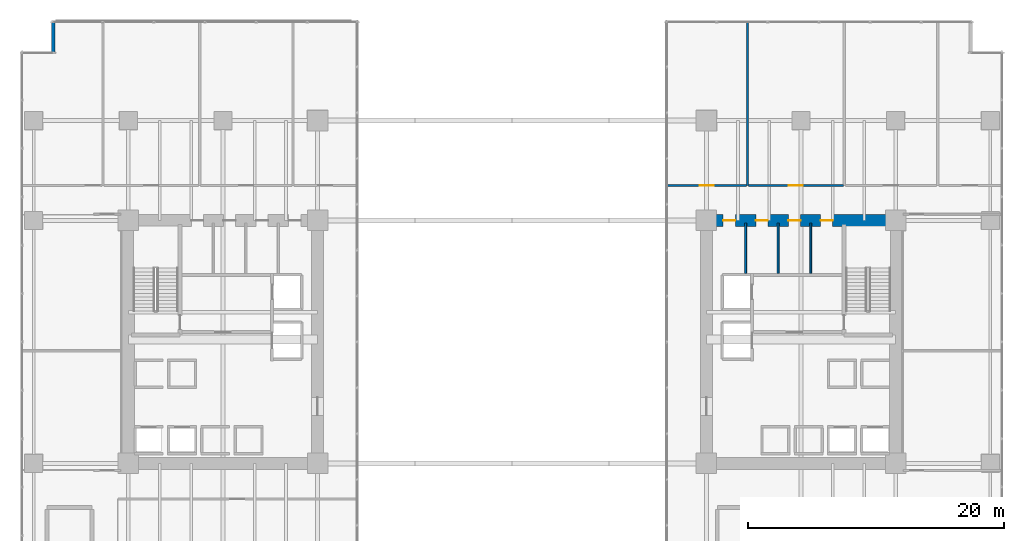
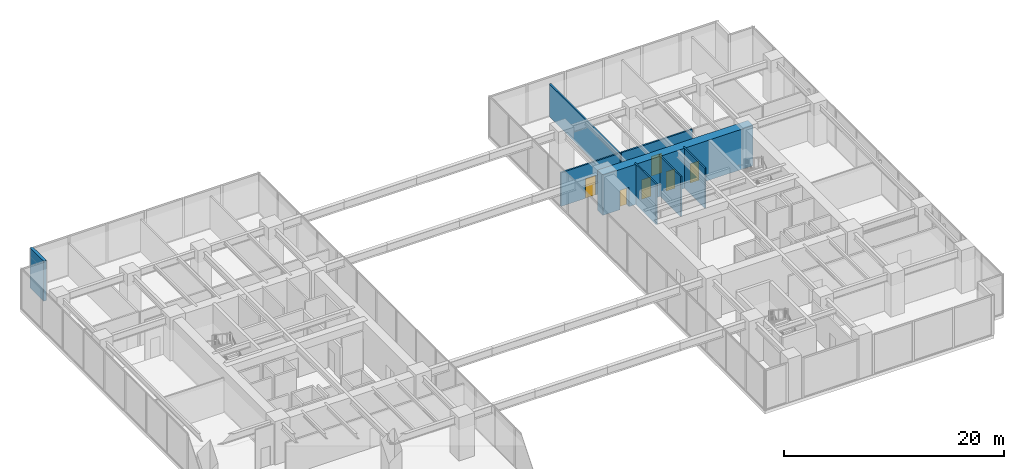
# One storey, part 32 of 39: 8 walls, 6 doors, 6 openings.
"""IFC4 building model written with IfcOpenShell, lengths in metres."""

from ifc_helpers import new_model, si_unit, direction, frame, frame_2d, origin, place, context, subcontext, project, spatial, rectangle, extrude, source, transform, mapped, material, layer, layer_set, type_object, type_shapes, element, fill, save


model = new_model("IFC4")

# Units and contexts
model_context = context("Model", 3, precision=1e-05, world=origin(), true_north=direction((0.0, 1.0)))
body_context = subcontext(model_context, "Body", "Model", "MODEL_VIEW")
ifc_project = project(units=[si_unit("LENGTHUNIT", "METRE"), si_unit("AREAUNIT", "SQUARE_METRE"), si_unit("VOLUMEUNIT", "CUBIC_METRE"), si_unit("PLANEANGLEUNIT", "RADIAN"), si_unit("MASSUNIT", "GRAM", prefix="KILO")], contexts=[model_context])

# Site, building, storey
site_placement = place(None, origin())
site = spatial("IfcSite", under=ifc_project, at=site_placement, CompositionType="ELEMENT")
building_placement = place(site_placement, origin())
building = spatial("IfcBuilding", under=site, at=building_placement, Name="Haelvirn Gate Laboratories", CompositionType="ELEMENT")
storey_placement = place(building_placement, frame((0.0, 0.0, 15.0)))
storey = spatial("IfcBuildingStorey", under=building, at=storey_placement, Name="L04", CompositionType="ELEMENT", Elevation=15.0)

# Wall
ifc_material_1 = material(Name="Thermally-broken bronze aluminium rainscreen & mineral wool", Category="aluminium")
ifc_layer_1 = layer(ifc_material_1, 0.280029296875, Name="EW-TERR-280")
ifc_layer_set_1 = layer_set([ifc_layer_1], Name="Thermally-broken bronze aluminium rainscreen & mineral wool")
wall_type_1 = type_object("IfcWallType", Name="EW-TERR-280", PredefinedType="STANDARD", material=ifc_layer_set_1)
wall_1_placement = place(storey_placement, frame((1.5400390625, 49.39990234375, 0.0), z_axis=(0.0, 0.0, 1.0), x_axis=(0.0, -1.0, 0.0)))
element("IfcWall", 1, at=wall_1_placement, inside=storey, type_object=wall_type_1, Name="L04 Atrium Recess Bronze Return Wall 03", PredefinedType="STANDARD", context=body_context, shape_type="SweptSolid", body=[
    extrude(rectangle(XDim=2.48779296875, YDim=0.280029296875, at=frame_2d((1.243896484375, 0.0))), origin(), (0.0, 0.0, 1.0), 4.449951171875),
])

# Wall, opening, door
ifc_material_2 = material(Name="Moisture-resistant gypsum laboratory partition", Category="gypsum")
ifc_layer_2 = layer(ifc_material_2, 0.1650390625, Name="IW-PART-160")
ifc_layer_set_2 = layer_set([ifc_layer_2], Name="Moisture-resistant gypsum laboratory partition")
wall_type_2 = type_object("IfcWallType", Name="IW-PART-160", PredefinedType="PARTITIONING", material=ifc_layer_set_2)
wall_2_placement = place(storey_placement, frame((49.550048828125, 36.52001953125, 0.0), z_axis=(0.0, 0.0, 1.0), x_axis=(1.0, 0.0, 0.0)))
wall_2 = element("IfcWall", 2, at=wall_2_placement, inside=storey, type_object=wall_type_2, Name="L04 Interior Wall IW-L04-PODN-E-1", PredefinedType="PARTITIONING", context=body_context, shape_type="SweptSolid", body=[
    extrude(rectangle(XDim=6.183837890625, YDim=0.1650390625, at=frame_2d((3.091796875, 0.0))), origin(), (0.0, 0.0, 1.0), 3.735107421875),
])
opening_1_placement = place(wall_2_placement, frame((2.5419921875, 0.0, 0.0)))
opening_1 = element("IfcOpeningElement", 3, at=opening_1_placement, cuts=wall_2, Name="Opening D1", PredefinedType="OPENING", context=body_context, shape_type="SweptSolid", body=[
    extrude(rectangle(XDim=1.10009765625, YDim=2.179931640625, at=frame_2d((0.550048828125, 1.08984375))), frame((0.0, 0.092529296875, 0.0), z_axis=(0.0, -1.0, 0.0), x_axis=(1.0, 0.0, 0.0)), (0.0, 0.0, 1.0), 0.18505859375),
])
ifc_material_3 = material(Name="Vision-panel acoustic solid-core timber lab door", Category="wood")
door_type_1 = type_object("IfcDoorType", Name="DR-LAB-1100", OperationType="NOTDEFINED", PredefinedType="DOOR", material=ifc_material_3)
shared_shape_1 = source(origin(), body_context, "Body", "SweptSolid", [
    extrude(rectangle(XDim=1.10009765625, YDim=2.179931640625, at=frame_2d((0.550048828125, 1.08984375))), frame((0.0, 0.02490234375, 0.0), z_axis=(0.0, -1.0, 0.0), x_axis=(1.0, 0.0, 0.0)), (0.0, 0.0, 1.0), 0.050048828125),
])
type_shapes(door_type_1, [shared_shape_1])
door_1_placement = place(opening_1_placement, origin())
door_1 = element("IfcDoor", 4, at=door_1_placement, inside=storey, type_object=door_type_1, Name="L04 Genomics Assay Laboratory North Door", OperationType="SINGLE_SWING_RIGHT", OverallHeight=2.179931640625, OverallWidth=1.10009765625, PredefinedType="DOOR", context=body_context, shape_type="MappedRepresentation", body=[
    mapped(shared_shape_1, transform((0.0, 0.0, 0.0), scale=1.0)),
])
fill(opening_1, door_1)

# Wall
wall_3_placement = place(storey_placement, frame((55.81396484375, 36.52001953125, 0.0), z_axis=(0.0, 0.0, 1.0), x_axis=(0.0, 1.0, 0.0)))
element("IfcWall", 5, at=wall_3_placement, inside=storey, type_object=wall_type_2, Name="L04 Interior Wall IW-L04-PODNDIV-E-1", PredefinedType="PARTITIONING", context=body_context, shape_type="SweptSolid", body=[
    extrude(rectangle(XDim=12.77001953125, YDim=0.1650390625, at=frame_2d((6.385009765625, 0.0))), origin(), (0.0, 0.0, 1.0), 3.635009765625),
])

# Wall, opening, door
wall_4_placement = place(storey_placement, frame((55.89404296875, 36.52001953125, 0.0), z_axis=(0.0, 0.0, 1.0), x_axis=(1.0, 0.0, 0.0)))
wall_4 = element("IfcWall", 6, at=wall_4_placement, inside=storey, type_object=wall_type_2, Name="L04 Interior Wall IW-L04-PODN-E-2", PredefinedType="PARTITIONING", context=body_context, shape_type="SweptSolid", body=[
    extrude(rectangle(XDim=7.408935546875, YDim=0.1650390625, at=frame_2d((3.70458984375, 0.0))), origin(), (0.0, 0.0, 1.0), 3.735107421875),
])
opening_2_placement = place(wall_4_placement, frame((3.154541015625, 0.0, 0.0)))
opening_2 = element("IfcOpeningElement", 7, at=opening_2_placement, cuts=wall_4, Name="Opening D1", PredefinedType="OPENING", context=body_context, shape_type="SweptSolid", body=[
    extrude(rectangle(XDim=1.10009765625, YDim=2.179931640625, at=frame_2d((0.550048828125, 1.08984375))), frame((0.0, 0.092529296875, 0.0), z_axis=(0.0, -1.0, 0.0), x_axis=(1.0, 0.0, 0.0)), (0.0, 0.0, 1.0), 0.18505859375),
])
door_2_placement = place(opening_2_placement, origin())
door_2 = element("IfcDoor", 8, at=door_2_placement, inside=storey, type_object=door_type_1, Name="L04 Analytical Instrument Suite North Door", OperationType="SINGLE_SWING_LEFT", OverallHeight=2.179931640625, OverallWidth=1.10009765625, PredefinedType="DOOR", context=body_context, shape_type="MappedRepresentation", body=[
    mapped(shared_shape_1, transform((0.0, 0.0, 0.0), scale=1.0)),
])
fill(opening_2, door_2)

# Walls
ifc_material_4 = material(Name="Cement-board restroom plumbing chase wall", Category="gypsum")
ifc_layer_3 = layer(ifc_material_4, 0.155029296875, Name="IW-PLUMB-160")
ifc_layer_set_3 = layer_set([ifc_layer_3], Name="Cement-board restroom plumbing chase wall")
wall_type_3 = type_object("IfcWallType", Name="IW-PLUMB-160", PredefinedType="PLUMBINGWALL", material=ifc_layer_set_3)
for number, where, z_axis, x_axis, name in (
    (9, (60.760009765625, 29.64990234375, 0.0), (0.0, 0.0, 1.0), (0.0, 1.0, 0.0), "L04 Interior Wall IW-L04-E-CDIV-1"),
    (10, (58.2099609375, 29.64990234375, 0.0), (0.0, 0.0, 1.0), (0.0, 1.0, 0.0), "L04 Interior Wall IW-L04-E-CDIV-2"),
    (11, (55.659912109375, 29.64990234375, 0.0), (0.0, 0.0, 1.0), (0.0, 1.0, 0.0), "L04 Interior Wall IW-L04-E-CDIV-3"),
):
    element("IfcWall", number, at=place(storey_placement, frame(where, z_axis=z_axis, x_axis=x_axis)), inside=storey, type_object=wall_type_3, Name=name, PredefinedType="PLUMBINGWALL", context=body_context, shape_type="SweptSolid", body=[
        extrude(rectangle(XDim=3.93017578125, YDim=0.155029296875, at=frame_2d((1.965087890625, 0.0))), origin(), (0.0, 0.0, 1.0), 4.449951171875),
    ])

# Wall, openings, doors
ifc_material_5 = material(Name="Concrete C70/85", Category="concrete")
ifc_layer_4 = layer(ifc_material_5, 0.949951171875, Name="SW-CORE-950")
ifc_layer_set_4 = layer_set([ifc_layer_4], Name="Concrete C70/85")
wall_type_4 = type_object("IfcWallType", Name="SW-CORE-950", PredefinedType="SHEAR", material=ifc_layer_set_4)
wall_5_placement = place(storey_placement, frame((52.125, 33.800048828125, 0.0), z_axis=(0.0, 0.0, 1.0), x_axis=(1.0, 0.0, 0.0)))
wall_5 = element("IfcWall", 12, at=wall_5_placement, inside=storey, type_object=wall_type_4, Name="L04 E Core Shear Wall N", PredefinedType="SHEAR", context=body_context, shape_type="SweptSolid", body=[
    extrude(rectangle(XDim=15.75, YDim=0.949951171875, at=frame_2d((7.875, 0.0))), origin(), (0.0, 0.0, 1.0), 4.449951171875),
])
opening_3_placement = place(wall_5_placement, frame((9.39990234375, 0.0, 0.0)))
opening_3 = element("IfcOpeningElement", 13, at=opening_3_placement, cuts=wall_5, Name="Opening FD4", PredefinedType="OPENING", context=body_context, shape_type="SweptSolid", body=[
    extrude(rectangle(XDim=0.949951171875, YDim=2.14990234375, at=frame_2d((0.47509765625, 1.074951171875))), frame((0.0, 0.48486328125, 0.0), z_axis=(0.0, -1.0, 0.0), x_axis=(1.0, 0.0, 0.0)), (0.0, 0.0, 1.0), 0.969970703125),
])
opening_4_placement = place(wall_5_placement, frame((6.885009765625, 0.0, 0.0)))
opening_4 = element("IfcOpeningElement", 14, at=opening_4_placement, cuts=wall_5, Name="Opening FD4", PredefinedType="OPENING", context=body_context, shape_type="SweptSolid", body=[
    extrude(rectangle(XDim=0.949951171875, YDim=2.14990234375, at=frame_2d((0.47509765625, 1.074951171875))), frame((0.0, 0.48486328125, 0.0), z_axis=(0.0, -1.0, 0.0), x_axis=(1.0, 0.0, 0.0)), (0.0, 0.0, 1.0), 0.969970703125),
])
opening_5_placement = place(wall_5_placement, frame((4.3349609375, 0.0, 0.0)))
opening_5 = element("IfcOpeningElement", 15, at=opening_5_placement, cuts=wall_5, Name="Opening FD4", PredefinedType="OPENING", context=body_context, shape_type="SweptSolid", body=[
    extrude(rectangle(XDim=0.949951171875, YDim=2.14990234375, at=frame_2d((0.47509765625, 1.074951171875))), frame((0.0, 0.48486328125, 0.0), z_axis=(0.0, -1.0, 0.0), x_axis=(1.0, 0.0, 0.0)), (0.0, 0.0, 1.0), 0.969970703125),
])
opening_6_placement = place(wall_5_placement, frame((1.784912109375, 0.0, 0.0)))
opening_6 = element("IfcOpeningElement", 16, at=opening_6_placement, cuts=wall_5, Name="Opening FD4", PredefinedType="OPENING", context=body_context, shape_type="SweptSolid", body=[
    extrude(rectangle(XDim=0.949951171875, YDim=2.14990234375, at=frame_2d((0.47509765625, 1.074951171875))), frame((0.0, 0.48486328125, 0.0), z_axis=(0.0, -1.0, 0.0), x_axis=(1.0, 0.0, 0.0)), (0.0, 0.0, 1.0), 0.969970703125),
])
ifc_material_6 = material(Name="Fire-rated steel SM355 core service door", Category="steel")
door_type_2 = type_object("IfcDoorType", Name="DR-FD-950", OperationType="NOTDEFINED", PredefinedType="DOOR", material=ifc_material_6)
shared_shape_2 = source(origin(), body_context, "Body", "SweptSolid", [
    extrude(rectangle(XDim=0.949951171875, YDim=2.14990234375, at=frame_2d((0.47509765625, 1.074951171875))), frame((0.0, 0.02490234375, 0.0), z_axis=(0.0, -1.0, 0.0), x_axis=(1.0, 0.0, 0.0)), (0.0, 0.0, 1.0), 0.050048828125),
])
type_shapes(door_type_2, [shared_shape_2])
door_3_placement = place(opening_3_placement, origin())
door_3 = element("IfcDoor", 17, at=door_3_placement, inside=storey, type_object=door_type_2, Name="L04 Male Restroom Fire Door", OperationType="SINGLE_SWING_LEFT", OverallHeight=2.14990234375, OverallWidth=0.949951171875, PredefinedType="DOOR", context=body_context, shape_type="MappedRepresentation", body=[
    mapped(shared_shape_2, transform((0.0, 0.0, 0.0), scale=1.0)),
])
fill(opening_3, door_3)
door_4_placement = place(opening_4_placement, origin())
door_4 = element("IfcDoor", 18, at=door_4_placement, inside=storey, type_object=door_type_2, Name="L04 Female Restroom Fire Door", OperationType="SINGLE_SWING_RIGHT", OverallHeight=2.14990234375, OverallWidth=0.949951171875, PredefinedType="DOOR", context=body_context, shape_type="MappedRepresentation", body=[
    mapped(shared_shape_2, transform((0.0, 0.0, 0.0), scale=1.0)),
])
fill(opening_4, door_4)
door_5_placement = place(opening_5_placement, origin())
door_5 = element("IfcDoor", 19, at=door_5_placement, inside=storey, type_object=door_type_2, Name="L04 Accessible Restroom Fire Door", OperationType="SINGLE_SWING_LEFT", OverallHeight=2.14990234375, OverallWidth=0.949951171875, PredefinedType="DOOR", context=body_context, shape_type="MappedRepresentation", body=[
    mapped(shared_shape_2, transform((0.0, 0.0, 0.0), scale=1.0)),
])
fill(opening_5, door_5)
door_6_placement = place(opening_6_placement, origin())
door_6 = element("IfcDoor", 20, at=door_6_placement, inside=storey, type_object=door_type_2, Name="L04 Decontamination Shower Washroom Fire Door", OperationType="SINGLE_SWING_RIGHT", OverallHeight=2.14990234375, OverallWidth=0.949951171875, PredefinedType="DOOR", context=body_context, shape_type="MappedRepresentation", body=[
    mapped(shared_shape_2, transform((0.0, 0.0, 0.0), scale=1.0)),
])
fill(opening_6, door_6)

save(model, "model.ifc")
